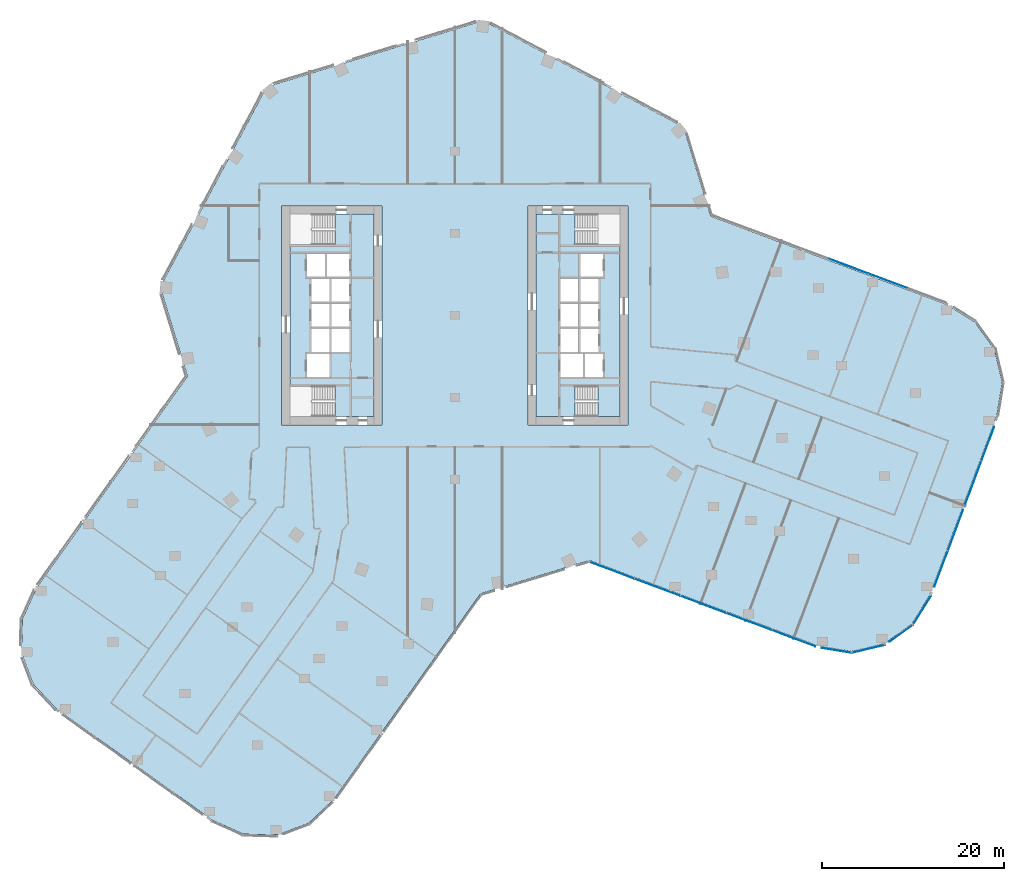
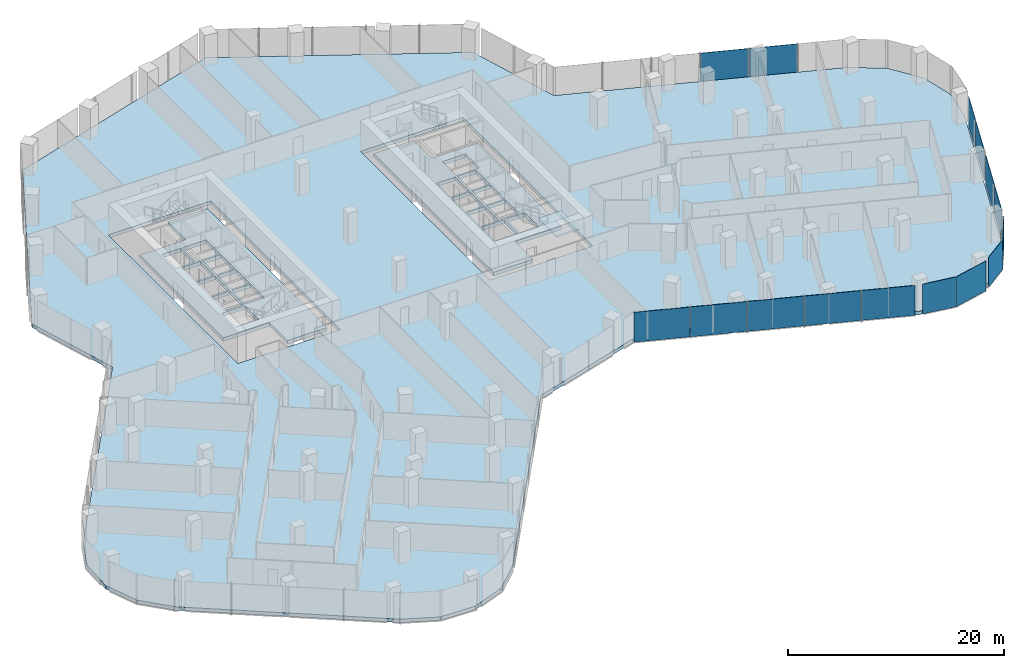
# One storey, part 19 of 31: 15 plates, 4 slabs, 8 elements without a shape of their own.
"""IFC4 building model written with IfcOpenShell, lengths in metres."""

from ifc_helpers import new_model, si_unit, direction, frame, origin, origin_2d, place, context, subcontext, project, spatial, polyline, rectangle, outline, extrude, material, layer, layer_set, type_object, element, aggregate, save


model = new_model("IFC4")

# Units and contexts
model_context = context("Model", 3, precision=1e-05, world=origin(), true_north=direction((0.0, 1.0)))
body_context = subcontext(model_context, "Body", "Model", "MODEL_VIEW")
ifc_project = project(units=[si_unit("LENGTHUNIT", "METRE"), si_unit("AREAUNIT", "SQUARE_METRE"), si_unit("VOLUMEUNIT", "CUBIC_METRE"), si_unit("PLANEANGLEUNIT", "RADIAN"), si_unit("MASSUNIT", "GRAM", prefix="KILO")], contexts=[model_context])

# Site, building, storey
site_placement = place(None, origin())
site = spatial("IfcSite", under=ifc_project, at=site_placement, CompositionType="ELEMENT")
building_placement = place(site_placement, origin())
building = spatial("IfcBuilding", under=site, at=building_placement, Name="Orlundy Tower", CompositionType="ELEMENT")
storey_placement = place(building_placement, frame((0.0, 0.0, 87.699951171875)))
storey = spatial("IfcBuildingStorey", under=building, at=storey_placement, Name="L21", CompositionType="ELEMENT", Elevation=87.699951171875)

# Curtain wall, plates
ifc_material_1 = material(Name="Aluminium bronze anodised", Category="aluminium")
curtain_wall_type = type_object("IfcCurtainWallType", Name="CW1 wall", PredefinedType="NOTDEFINED", material=ifc_material_1)
curtain_wall_1_placement = place(storey_placement, origin())
curtain_wall_1 = element("IfcCurtainWall", 1, at=curtain_wall_1_placement, inside=storey, type_object=curtain_wall_type, Name="CW1 run 06", PredefinedType="NOTDEFINED")
ifc_material_2 = material(Name="Tinted glass", Category="glass")
ifc_layer_1 = layer(ifc_material_2, 0.031982421875)
ifc_layer_set_1 = layer_set([ifc_layer_1], Name="CW1 glass panel 32")
plate_type = type_object("IfcPlateType", Name="CW1 glass panel 32", PredefinedType="CURTAIN_PANEL", material=ifc_layer_set_1)
plate_1_placement = place(storey_placement, frame((43.14990234375, 5.39404296875, -0.27978515625), z_axis=(0.0, 0.0, 1.0), x_axis=(0.93667352363, -0.350203812273, 0.0)))
plate_1 = element("IfcPlate", 2, at=plate_1_placement, type_object=plate_type, Name="CW1 panel", PredefinedType="CURTAIN_PANEL", context=body_context, shape_type="SweptSolid", body=[
    extrude(rectangle(XDim=4.538818359375, YDim=0.031982421875, at=origin_2d()), origin(), (0.0, 0.0, 1.0), 3.3798828125),
])
plate_2_placement = place(storey_placement, frame((47.4482421875, 3.787109375, -0.27978515625), z_axis=(0.0, 0.0, 1.0), x_axis=(0.93667352363, -0.350203812273, 0.0)))
plate_2 = element("IfcPlate", 3, at=plate_2_placement, type_object=plate_type, Name="CW1 panel", PredefinedType="CURTAIN_PANEL", context=body_context, shape_type="SweptSolid", body=[
    extrude(rectangle(XDim=4.538818359375, YDim=0.031982421875, at=origin_2d()), origin(), (0.0, 0.0, 1.0), 3.3798828125),
])
aggregate(curtain_wall_1, [plate_1, plate_2])

curtain_wall_2_placement = place(storey_placement, origin())
curtain_wall_2 = element("IfcCurtainWall", 4, at=curtain_wall_2_placement, inside=storey, type_object=curtain_wall_type, Name="CW1 run 011", PredefinedType="NOTDEFINED")
plate_3_placement = place(storey_placement, frame((58.4267578125, -14.09716796875, -0.27978515625), z_axis=(0.0, 0.0, 1.0), x_axis=(-0.350194360916, -0.936677057252, 0.0)))
plate_3 = element("IfcPlate", 5, at=plate_3_placement, type_object=plate_type, Name="CW1 panel", PredefinedType="CURTAIN_PANEL", context=body_context, shape_type="SweptSolid", body=[
    extrude(rectangle(XDim=3.96337890625, YDim=0.031982421875, at=origin_2d()), origin(), (0.0, 0.0, 1.0), 3.3798828125),
])
plate_4_placement = place(storey_placement, frame((56.8427734375, -18.33447265625, -0.27978515625), z_axis=(0.0, 0.0, 1.0), x_axis=(-0.350194360916, -0.936677057252, 0.0)))
plate_4 = element("IfcPlate", 6, at=plate_4_placement, type_object=plate_type, Name="CW1 panel", PredefinedType="CURTAIN_PANEL", context=body_context, shape_type="SweptSolid", body=[
    extrude(rectangle(XDim=4.98388671875, YDim=0.031982421875, at=origin_2d()), origin(), (0.0, 0.0, 1.0), 3.3798828125),
])
plate_5_placement = place(storey_placement, frame((54.889892578125, -23.557861328125, -0.27978515625), z_axis=(0.0, 0.0, 1.0), x_axis=(-0.350194360916, -0.936677057252, 0.0)))
plate_5 = element("IfcPlate", 7, at=plate_5_placement, type_object=plate_type, Name="CW1 panel", PredefinedType="CURTAIN_PANEL", context=body_context, shape_type="SweptSolid", body=[
    extrude(rectangle(XDim=4.76318359375, YDim=0.031982421875, at=origin_2d()), origin(), (0.0, 0.0, 1.0), 3.3798828125),
])
plate_6_placement = place(storey_placement, frame((53.3056640625, -27.795166015625, -0.27978515625), z_axis=(0.0, 0.0, 1.0), x_axis=(-0.350194360916, -0.936677057252, 0.0)))
plate_6 = element("IfcPlate", 8, at=plate_6_placement, type_object=plate_type, Name="CW1 panel", PredefinedType="CURTAIN_PANEL", context=body_context, shape_type="SweptSolid", body=[
    extrude(rectangle(XDim=4.184326171875, YDim=0.031982421875, at=origin_2d()), origin(), (0.0, 0.0, 1.0), 3.3798828125),
])
aggregate(curtain_wall_2, [plate_3, plate_4, plate_5, plate_6])

# Curtain wall, plate
curtain_wall_3_placement = place(storey_placement, origin())
curtain_wall_3 = element("IfcCurtainWall", 9, at=curtain_wall_3_placement, inside=storey, type_object=curtain_wall_type, Name="CW1 run 012", PredefinedType="NOTDEFINED")
plate_7_placement = place(storey_placement, frame((51.2080078125, -32.35205078125, -0.27978515625), z_axis=(0.0, 0.0, 1.0), x_axis=(-0.52630817917, -0.850293890686, 0.0)))
plate_7 = element("IfcPlate", 10, at=plate_7_placement, type_object=plate_type, Name="CW1 panel", PredefinedType="CURTAIN_PANEL", context=body_context, shape_type="SweptSolid", body=[
    extrude(rectangle(XDim=3.730712890625, YDim=0.031982421875, at=origin_2d()), origin(), (0.0, 0.0, 1.0), 3.3798828125),
])
aggregate(curtain_wall_3, [plate_7])

curtain_wall_4_placement = place(storey_placement, origin())
curtain_wall_4 = element("IfcCurtainWall", 11, at=curtain_wall_4_placement, inside=storey, type_object=curtain_wall_type, Name="CW1 run 013", PredefinedType="NOTDEFINED")
plate_8_placement = place(storey_placement, frame((48.9365234375, -34.86669921875, -0.27978515625), z_axis=(0.0, 0.0, 1.0), x_axis=(-0.811503638082, -0.584347367051, 0.0)))
plate_8 = element("IfcPlate", 12, at=plate_8_placement, type_object=plate_type, Name="CW1 panel", PredefinedType="CURTAIN_PANEL", context=body_context, shape_type="SweptSolid", body=[
    extrude(rectangle(XDim=3.178466796875, YDim=0.031982421875, at=origin_2d()), origin(), (0.0, 0.0, 1.0), 3.3798828125),
])
aggregate(curtain_wall_4, [plate_8])

curtain_wall_5_placement = place(storey_placement, origin())
curtain_wall_5 = element("IfcCurtainWall", 13, at=curtain_wall_5_placement, inside=storey, type_object=curtain_wall_type, Name="CW1 run 014", PredefinedType="NOTDEFINED")
plate_9_placement = place(storey_placement, frame((45.32958984375, -36.57470703125, -0.27978515625), z_axis=(0.0, 0.0, 1.0), x_axis=(-0.97335344577, -0.229309985845, 0.0)))
plate_9 = element("IfcPlate", 14, at=plate_9_placement, type_object=plate_type, Name="CW1 panel", PredefinedType="CURTAIN_PANEL", context=body_context, shape_type="SweptSolid", body=[
    extrude(rectangle(XDim=3.77197265625, YDim=0.031982421875, at=origin_2d()), origin(), (0.0, 0.0, 1.0), 3.3798828125),
])
aggregate(curtain_wall_5, [plate_9])

curtain_wall_6_placement = place(storey_placement, origin())
curtain_wall_6 = element("IfcCurtainWall", 15, at=curtain_wall_6_placement, inside=storey, type_object=curtain_wall_type, Name="CW1 run 015", PredefinedType="NOTDEFINED")
plate_10_placement = place(storey_placement, frame((41.84814453125, -36.739013671875, -0.27978515625), z_axis=(0.0, 0.0, 1.0), x_axis=(-0.986992343076, 0.160767268774, 0.0)))
plate_10 = element("IfcPlate", 16, at=plate_10_placement, type_object=plate_type, Name="CW1 panel", PredefinedType="CURTAIN_PANEL", context=body_context, shape_type="SweptSolid", body=[
    extrude(rectangle(XDim=3.334716796875, YDim=0.031982421875, at=origin_2d()), origin(), (0.0, 0.0, 1.0), 3.3798828125),
])
aggregate(curtain_wall_6, [plate_10])

# Curtain wall, plates
curtain_wall_7_placement = place(storey_placement, origin())
curtain_wall_7 = element("IfcCurtainWall", 17, at=curtain_wall_7_placement, inside=storey, type_object=curtain_wall_type, Name="CW1 run 016", PredefinedType="NOTDEFINED")
plate_11_placement = place(storey_placement, frame((37.13427734375, -35.41162109375, -0.27978515625), z_axis=(0.0, 0.0, 1.0), x_axis=(-0.936667840729, 0.350219011684, 0.0)))
plate_11 = element("IfcPlate", 18, at=plate_11_placement, type_object=plate_type, Name="CW1 panel", PredefinedType="CURTAIN_PANEL", context=body_context, shape_type="SweptSolid", body=[
    extrude(rectangle(XDim=5.0322265625, YDim=0.031982421875, at=origin_2d()), origin(), (0.0, 0.0, 1.0), 3.3798828125),
])
plate_12_placement = place(storey_placement, frame((32.245361328125, -33.58349609375, -0.27978515625), z_axis=(0.0, 0.0, 1.0), x_axis=(-0.936667840729, 0.350219011684, 0.0)))
plate_12 = element("IfcPlate", 19, at=plate_12_placement, type_object=plate_type, Name="CW1 panel", PredefinedType="CURTAIN_PANEL", context=body_context, shape_type="SweptSolid", body=[
    extrude(rectangle(XDim=5.306640625, YDim=0.031982421875, at=origin_2d()), origin(), (0.0, 0.0, 1.0), 3.3798828125),
])
plate_13_placement = place(storey_placement, frame((27.22802734375, -31.70751953125, -0.27978515625), z_axis=(0.0, 0.0, 1.0), x_axis=(-0.936667840729, 0.350219011684, 0.0)))
plate_13 = element("IfcPlate", 20, at=plate_13_placement, type_object=plate_type, Name="CW1 panel", PredefinedType="CURTAIN_PANEL", context=body_context, shape_type="SweptSolid", body=[
    extrude(rectangle(XDim=5.306640625, YDim=0.031982421875, at=origin_2d()), origin(), (0.0, 0.0, 1.0), 3.3798828125),
])
plate_14_placement = place(storey_placement, frame((22.210693359375, -29.83154296875, -0.27978515625), z_axis=(0.0, 0.0, 1.0), x_axis=(-0.936667840729, 0.350219011684, 0.0)))
plate_14 = element("IfcPlate", 21, at=plate_14_placement, type_object=plate_type, Name="CW1 panel", PredefinedType="CURTAIN_PANEL", context=body_context, shape_type="SweptSolid", body=[
    extrude(rectangle(XDim=5.306640625, YDim=0.031982421875, at=origin_2d()), origin(), (0.0, 0.0, 1.0), 3.3798828125),
])
plate_15_placement = place(storey_placement, frame((17.20751953125, -27.9609375, -0.27978515625), z_axis=(0.0, 0.0, 1.0), x_axis=(-0.936667840729, 0.350219011684, 0.0)))
plate_15 = element("IfcPlate", 22, at=plate_15_placement, type_object=plate_type, Name="CW1 panel", PredefinedType="CURTAIN_PANEL", context=body_context, shape_type="SweptSolid", body=[
    extrude(rectangle(XDim=5.27587890625, YDim=0.031982421875, at=origin_2d()), origin(), (0.0, 0.0, 1.0), 3.3798828125),
])
aggregate(curtain_wall_7, [plate_11, plate_12, plate_13, plate_14, plate_15])

# Slabs
ifc_material_3 = material(Name="Concrete C50/60", Category="concrete")
ifc_layer_2 = layer(ifc_material_3, 0.409912109375)
ifc_layer_set_2 = layer_set([ifc_layer_2], Name="Core Floor Slab 410")
slab_type_1 = type_object("IfcSlabType", Name="Core Floor Slab 410", PredefinedType="FLOOR", material=ifc_layer_set_2)
slab_1_placement = place(storey_placement, frame((0.0, 0.0, -0.409912109375)))
element("IfcSlab", 23, at=slab_1_placement, inside=storey, type_object=slab_type_1, Name="Core floor W17", PredefinedType="FLOOR", context=body_context, shape_type="SweptSolid", body=[
    extrude(outline(polyline([(-13.14501953125, 7.75), (-13.14501953125, 11.10009765625), (-8.89990234375, 11.10009765625), (-8.89990234375, -11.10009765625), (-13.14501953125, -11.10009765625), (-13.14501953125, -7.75), (-18.10009765625, -7.75), (-18.10009765625, 7.75), (-13.14501953125, 7.75)]), holes=[polyline([(-16.239990234375, -6.77490234375), (-13.739990234375, -6.77490234375), (-13.739990234375, -4.22509765625), (-16.239990234375, -4.22509765625), (-16.239990234375, -6.77490234375)]), polyline([(-13.5400390625, -1.47509765625), (-13.5400390625, -4.02490234375), (-11.5400390625, -4.02490234375), (-11.5400390625, -1.47509765625), (-13.5400390625, -1.47509765625)]), polyline([(-13.739990234375, -1.47509765625), (-15.739990234375, -1.47509765625), (-15.739990234375, -4.02490234375), (-13.739990234375, -4.02490234375), (-13.739990234375, -1.47509765625)]), polyline([(-11.5400390625, -1.27490234375), (-11.5400390625, 1.27490234375), (-13.5400390625, 1.27490234375), (-13.5400390625, -1.27490234375), (-11.5400390625, -1.27490234375)]), polyline([(-15.739990234375, -1.27490234375), (-13.739990234375, -1.27490234375), (-13.739990234375, 1.27490234375), (-15.739990234375, 1.27490234375), (-15.739990234375, -1.27490234375)]), polyline([(-13.5400390625, 4.02490234375), (-13.5400390625, 1.47509765625), (-11.5400390625, 1.47509765625), (-11.5400390625, 4.02490234375), (-13.5400390625, 4.02490234375)]), polyline([(-13.739990234375, 4.02490234375), (-15.739990234375, 4.02490234375), (-15.739990234375, 1.47509765625), (-13.739990234375, 1.47509765625), (-13.739990234375, 4.02490234375)]), polyline([(-11.5400390625, 4.22509765625), (-11.5400390625, 6.77490234375), (-14.0400390625, 6.77490234375), (-14.0400390625, 4.22509765625), (-11.5400390625, 4.22509765625)]), polyline([(-16.239990234375, 4.22509765625), (-14.239990234375, 4.22509765625), (-14.239990234375, 6.77490234375), (-16.239990234375, 6.77490234375), (-16.239990234375, 4.22509765625)])]), origin(), (0.0, 0.0, 1.0), 0.409912109375),
])
slab_2_placement = place(storey_placement, frame((0.0, 0.0, -0.409912109375)))
element("IfcSlab", 24, at=slab_2_placement, inside=storey, type_object=slab_type_1, Name="Core floor E17", PredefinedType="FLOOR", context=body_context, shape_type="SweptSolid", body=[
    extrude(outline(polyline([(13.14501953125, -7.75), (13.14501953125, -11.10009765625), (8.89990234375, -11.10009765625), (8.89990234375, 11.10009765625), (13.14501953125, 11.10009765625), (13.14501953125, 7.75), (18.10009765625, 7.75), (18.10009765625, -7.75), (13.14501953125, -7.75)]), holes=[polyline([(16.239990234375, 6.77490234375), (13.739990234375, 6.77490234375), (13.739990234375, 4.22509765625), (16.239990234375, 4.22509765625), (16.239990234375, 6.77490234375)]), polyline([(13.5400390625, 1.47509765625), (13.5400390625, 4.02490234375), (11.5400390625, 4.02490234375), (11.5400390625, 1.47509765625), (13.5400390625, 1.47509765625)]), polyline([(13.739990234375, 1.47509765625), (15.739990234375, 1.47509765625), (15.739990234375, 4.02490234375), (13.739990234375, 4.02490234375), (13.739990234375, 1.47509765625)]), polyline([(11.5400390625, 1.27490234375), (11.5400390625, -1.27490234375), (13.5400390625, -1.27490234375), (13.5400390625, 1.27490234375), (11.5400390625, 1.27490234375)]), polyline([(15.739990234375, 1.27490234375), (13.739990234375, 1.27490234375), (13.739990234375, -1.27490234375), (15.739990234375, -1.27490234375), (15.739990234375, 1.27490234375)]), polyline([(13.5400390625, -4.02490234375), (13.5400390625, -1.47509765625), (11.5400390625, -1.47509765625), (11.5400390625, -4.02490234375), (13.5400390625, -4.02490234375)]), polyline([(13.739990234375, -4.02490234375), (15.739990234375, -4.02490234375), (15.739990234375, -1.47509765625), (13.739990234375, -1.47509765625), (13.739990234375, -4.02490234375)]), polyline([(11.5400390625, -4.22509765625), (11.5400390625, -6.77490234375), (14.0400390625, -6.77490234375), (14.0400390625, -4.22509765625), (11.5400390625, -4.22509765625)]), polyline([(16.239990234375, -4.22509765625), (14.239990234375, -4.22509765625), (14.239990234375, -6.77490234375), (16.239990234375, -6.77490234375), (16.239990234375, -4.22509765625)])]), origin(), (0.0, 0.0, 1.0), 0.409912109375),
])

# Stair, slab
ifc_material_4 = material(Name="Concrete C50/60", Category="concrete")
stair_type = type_object("IfcStairType", Name="Exit Stair 20 risers", PredefinedType="HALF_TURN_STAIR", material=ifc_material_4)
stair_placement = place(storey_placement, origin())
stair = element("IfcStair", 25, at=stair_placement, inside=storey, type_object=stair_type, Name="L21 Exit Stair ST-E1", PredefinedType="HALF_TURN_STAIR")
ifc_material_5 = material(Name="Concrete C50/60", Category="concrete")
ifc_layer_3 = layer(ifc_material_5, 0.199951171875)
ifc_layer_set_3 = layer_set([ifc_layer_3], Name="Exit Stair Landing")
slab_type_2 = type_object("IfcSlabType", Name="Exit Stair Landing", PredefinedType="LANDING", material=ifc_layer_set_3)
slab_3_placement = place(storey_placement, frame((0.0, 0.0, 1.550048828125)))
slab_3 = element("IfcSlab", 26, at=slab_3_placement, type_object=slab_type_2, Name="ST-E1 landing 1", PredefinedType="LANDING", context=body_context, shape_type="SweptSolid", body=[
    extrude(outline(polyline([(15.659912109375, -11.10009765625), (18.10009765625, -11.10009765625), (18.10009765625, -7.75), (15.659912109375, -7.75), (15.659912109375, -11.10009765625)])), origin(), (0.0, 0.0, 1.0), 0.199951171875),
])
aggregate(stair, [slab_3])

# Slab
ifc_material_6 = material(Name="Concrete C45/55", Category="concrete")
ifc_layer_4 = layer(ifc_material_6, 0.39990234375)
ifc_layer_set_4 = layer_set([ifc_layer_4], Name="FLOOR SLAB THICK 400 C45/55")
slab_type_3 = type_object("IfcSlabType", Name="FLOOR SLAB THICK 400 C45/55", PredefinedType="FLOOR", material=ifc_layer_set_4)
slab_4_placement = place(storey_placement, frame((0.0, 0.0, -0.39990234375)))
element("IfcSlab", 27, at=slab_4_placement, inside=storey, type_object=slab_type_3, Name="Floor slab L21", PredefinedType="FLOOR", context=body_context, shape_type="SweptSolid", body=[
    extrude(outline(polyline([(-29.3291015625, -6.677001953125), (-32.322021484375, 3.112060546875), (-20.655029296875, 25.055908203125), (3.112060546875, 32.322021484375), (25.055908203125, 20.655029296875), (28.049072265625, 10.864990234375), (53.837890625, 1.222900390625), (56.989990234375, -0.72705078125), (59.155029296875, -3.736083984375), (60.0048828125, -7.343994140625), (59.408935546875, -11.001953125), (52.054931640625, -30.672119140625), (50.10400390625, -33.823974609375), (47.095947265625, -35.989990234375), (43.488037109375, -36.840087890625), (39.8291015625, -36.243896484375), (14.741943359375, -26.864013671875), (2.801025390625, -30.513916015625), (-13.333984375, -53.134033203125), (-16.032958984375, -55.674072265625), (-19.5, -56.987060546875), (-23.205078125, -56.8740234375), (-26.583984375, -55.35107421875), (-43.680908203125, -43.156982421875), (-46.220947265625, -40.45703125), (-47.533935546875, -36.989990234375), (-47.4208984375, -33.284912109375), (-45.89794921875, -29.906005859375), (-29.3291015625, -6.677001953125)]), holes=[polyline([(-8.0, -12.0), (-8.0, 12.0), (-19.0, 12.0), (-19.0, -12.0), (-8.0, -12.0)]), polyline([(19.0, -12.0), (19.0, 12.0), (8.0, 12.0), (8.0, -12.0), (19.0, -12.0)])]), origin(), (0.0, 0.0, 1.0), 0.39990234375),
])

save(model, "model.ifc")
